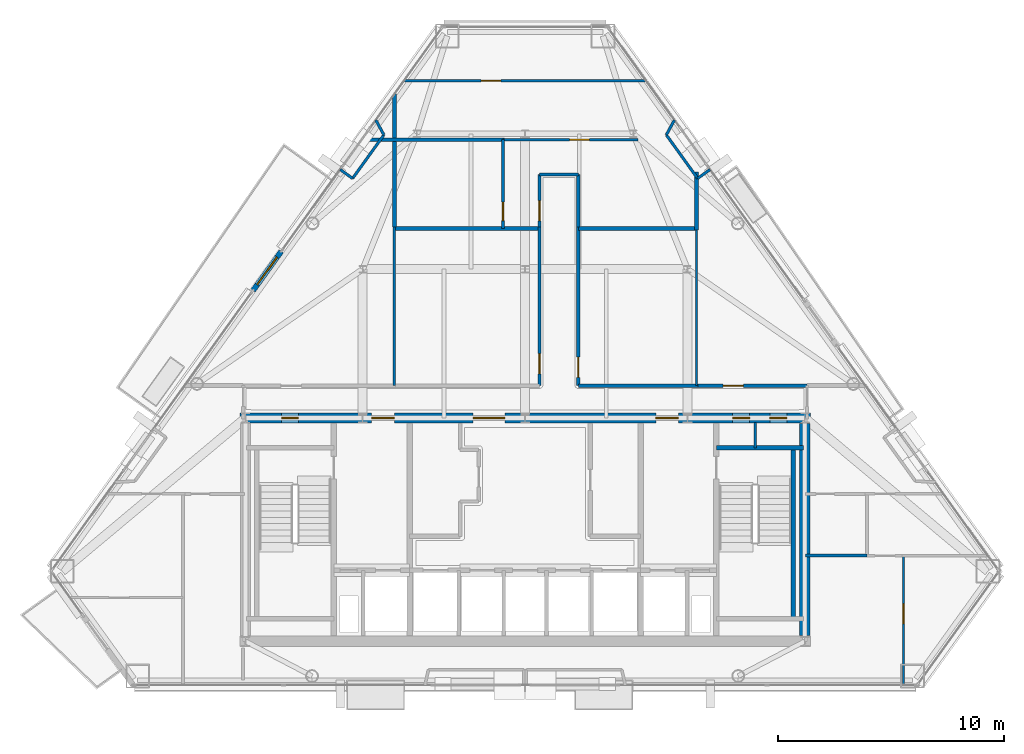
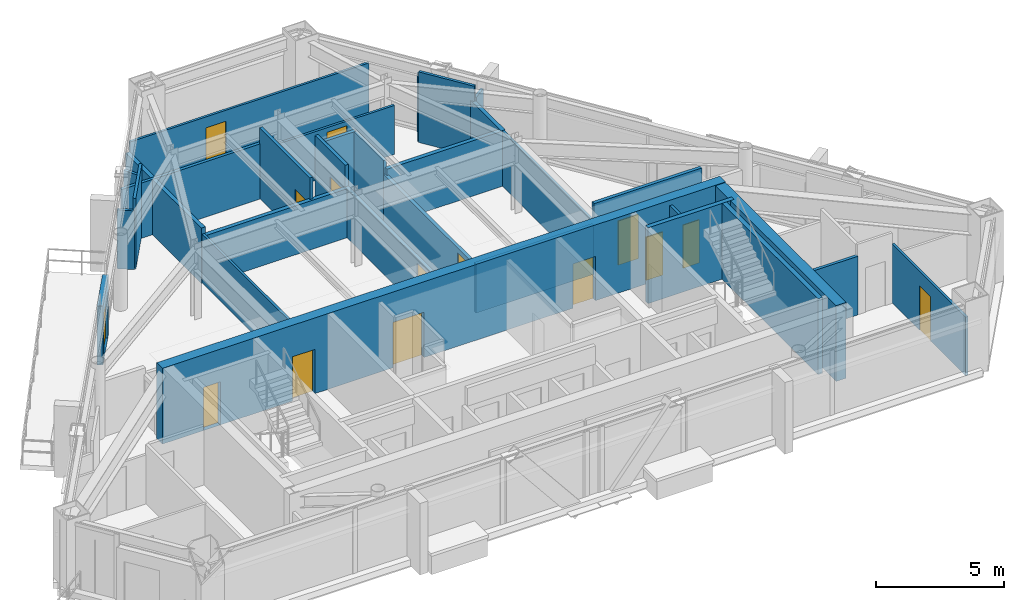
# One storey, part 9 of 12: 31 walls, 15 doors, 15 openings.
"""IFC4 building model written with IfcOpenShell, lengths in metres."""

from ifc_helpers import new_model, si_unit, direction, frame, frame_2d, origin, place, context, subcontext, project, spatial, rectangle, extrude, material, layer, layer_set, type_object, element, fill, save


model = new_model("IFC4")

# Units and contexts
model_context = context("Model", 3, precision=1e-05, world=origin(), true_north=direction((0.0, 1.0)))
body_context = subcontext(model_context, "Body", "Model", "MODEL_VIEW")
ifc_project = project(units=[si_unit("LENGTHUNIT", "METRE"), si_unit("AREAUNIT", "SQUARE_METRE"), si_unit("VOLUMEUNIT", "CUBIC_METRE"), si_unit("PLANEANGLEUNIT", "RADIAN"), si_unit("MASSUNIT", "GRAM", prefix="KILO")], contexts=[model_context])

# Site, building, storey
site_placement = place(None, origin())
site = spatial("IfcSite", under=ifc_project, at=site_placement, CompositionType="ELEMENT")
building_placement = place(site_placement, origin())
building = spatial("IfcBuilding", under=site, at=building_placement, Name="Talgorran Terracotta Tower", CompositionType="ELEMENT")
storey_placement = place(building_placement, frame((0.0, 0.0, 189.300048828125)))
storey = spatial("IfcBuildingStorey", under=building, at=storey_placement, Name="L49", CompositionType="ELEMENT", Elevation=189.300048828125)

# Wall, opening, door
ifc_material_1 = material(Name="Concrete C40/50", Category="concrete")
ifc_layer_1 = layer(ifc_material_1, 0.239990234375, Name="WT_BALCONY_SPAND")
ifc_layer_set_1 = layer_set([ifc_layer_1], Name="Concrete C40/50")
wall_type_1 = type_object("IfcWallType", Name="WT_BALCONY_SPAND", PredefinedType="STANDARD", material=ifc_layer_set_1)
wall_1_placement = place(storey_placement, frame((-10.81298828125, 3.19189453125, -0.01513671875), z_axis=(0.0, 0.0, 1.0), x_axis=(-0.583965085393, -0.811778774693, 0.0)))
wall_1 = element("IfcWall", 1, at=wall_1_placement, inside=storey, type_object=wall_type_1, Name="WL-L49-BALP-BAL-NW", PredefinedType="STANDARD", context=body_context, shape_type="SweptSolid", body=[
    extrude(rectangle(XDim=2.14013671875, YDim=0.239990234375, at=frame_2d((1.070068359375, 0.0))), origin(), (0.0, 0.0, 1.0), 2.80712890625),
])
opening_1_placement = place(wall_1_placement, frame((0.320068359375, 0.0, 0.014892578125)))
opening_1 = element("IfcOpeningElement", 2, at=opening_1_placement, cuts=wall_1, Name="Opening D-BAL-L49-2", PredefinedType="OPENING", context=body_context, shape_type="SweptSolid", body=[
    extrude(rectangle(XDim=1.506, YDim=2.203951171875, at=frame_2d((0.75, 1.10205078125))), frame((0.0, 0.1298828125, 0.0), z_axis=(0.0, -1.0, 0.0), x_axis=(1.0, 0.0, 0.0)), (0.0, 0.0, 1.0), 0.260009765625),
])
ifc_material_2 = material(Name="Thermally Broken Aluminium", Category="aluminium")
door_type_1 = type_object("IfcDoorType", Name="DT_BALC_1500", OperationType="SLIDING_TO_RIGHT", PredefinedType="DOOR", material=ifc_material_2)
door_1_placement = place(opening_1_placement, origin())
door_1 = element("IfcDoor", 3, at=door_1_placement, inside=storey, type_object=door_type_1, Name="DR-L49-BAL-BAL-NW", OperationType="SLIDING_TO_RIGHT", OverallHeight=2.199951171875, OverallWidth=1.5, PredefinedType="DOOR", context=body_context, shape_type="SweptSolid", body=[
    extrude(rectangle(XDim=1.5, YDim=2.199951171875, at=frame_2d((0.75, 1.10009765625))), frame((0.0, 0.02490234375, 0.0), z_axis=(0.0, -1.0, 0.0), x_axis=(1.0, 0.0, 0.0)), (0.0, 0.0, 1.0), 0.050048828125),
])
fill(opening_1, door_1)

# Walls
ifc_material_3 = material(Name="Concrete C50/60", Category="concrete")
ifc_layer_2 = layer(ifc_material_3, 0.199951171875, Name="WT_CORE_200")
ifc_layer_set_2 = layer_set([ifc_layer_2], Name="Concrete C50/60")
wall_type_2 = type_object("IfcWallType", Name="WT_CORE_200", PredefinedType="SOLIDWALL", material=ifc_layer_set_2)
wall_2_placement = place(storey_placement, frame((8.47998046875, -5.52001953125, 0.0), z_axis=(0.0, 0.0, 1.0), x_axis=(1.0, 0.0, 0.0)))
element("IfcWall", 4, at=wall_2_placement, inside=storey, type_object=wall_type_2, Name="WL-L49-CW-ST2-N", PredefinedType="SOLIDWALL", context=body_context, shape_type="SweptSolid", body=[
    extrude(rectangle(XDim=3.8701171875, YDim=0.199951171875, at=frame_2d((1.93505859375, 0.0))), origin(), (0.0, 0.0, 1.0), 3.599853515625),
])
wall_3_placement = place(storey_placement, frame((11.89990234375, -13.10009765625, 0.0), z_axis=(0.0, 0.0, 1.0), x_axis=(0.0, 1.0, 0.0)))
element("IfcWall", 5, at=wall_3_placement, inside=storey, type_object=wall_type_2, Name="WL-L49-CW-ST2-E", PredefinedType="SOLIDWALL", context=body_context, shape_type="SweptSolid", body=[
    extrude(rectangle(XDim=7.580078125, YDim=0.199951171875, at=frame_2d((3.7900390625, 0.0))), origin(), (0.0, 0.0, 1.0), 3.599853515625),
])

# Wall, openings, doors
ifc_material_4 = material(Name="Concrete C65/80", Category="concrete")
ifc_layer_3 = layer(ifc_material_4, 0.449951171875, Name="WT_CORE_EXT")
ifc_layer_set_3 = layer_set([ifc_layer_3], Name="Concrete C65/80")
wall_type_3 = type_object("IfcWallType", Name="WT_CORE_EXT", PredefinedType="SHEAR", material=ifc_layer_set_3)
wall_4_placement = place(storey_placement, frame((-12.64990234375, -4.199951171875, 0.0), z_axis=(0.0, 0.0, 1.0), x_axis=(1.0, 0.0, 0.0)))
wall_4 = element("IfcWall", 6, at=wall_4_placement, inside=storey, type_object=wall_type_3, Name="WL-L49-CW-OUT-N", PredefinedType="SHEAR", context=body_context, shape_type="SweptSolid", body=[
    extrude(rectangle(XDim=25.2998046875, YDim=0.449951171875, at=frame_2d((12.64990234375, 0.0))), origin(), (0.0, 0.0, 1.0), 3.599853515625),
])
opening_2_placement = place(wall_4_placement, frame((1.85009765625, 0.0, 0.0)))
opening_2 = element("IfcOpeningElement", 7, at=opening_2_placement, cuts=wall_4, Name="Opening DR-CSN1", PredefinedType="OPENING", context=body_context, shape_type="SweptSolid", body=[
    extrude(rectangle(XDim=0.756, YDim=2.054048828125, at=frame_2d((0.375, 1.027099609375))), frame((0.0, 0.23486328125, 0.0), z_axis=(0.0, -1.0, 0.0), x_axis=(1.0, 0.0, 0.0)), (0.0, 0.0, 1.0), 0.469970703125),
])
opening_3_placement = place(wall_4_placement, frame((21.85009765625, 0.0, 0.0)))
opening_3 = element("IfcOpeningElement", 8, at=opening_3_placement, cuts=wall_4, Name="Opening DR-CSN2", PredefinedType="OPENING", context=body_context, shape_type="SweptSolid", body=[
    extrude(rectangle(XDim=0.756, YDim=2.054048828125, at=frame_2d((0.375, 1.027099609375))), frame((0.0, 0.23486328125, 0.0), z_axis=(0.0, -1.0, 0.0), x_axis=(1.0, 0.0, 0.0)), (0.0, 0.0, 1.0), 0.469970703125),
])
opening_4_placement = place(wall_4_placement, frame((23.5, 0.0, 0.0)))
opening_4 = element("IfcOpeningElement", 9, at=opening_4_placement, cuts=wall_4, Name="Opening DR-CSN3", PredefinedType="OPENING", context=body_context, shape_type="SweptSolid", body=[
    extrude(rectangle(XDim=0.756, YDim=2.054048828125, at=frame_2d((0.375, 1.027099609375))), frame((0.0, 0.23486328125, 0.0), z_axis=(0.0, -1.0, 0.0), x_axis=(1.0, 0.0, 0.0)), (0.0, 0.0, 1.0), 0.469970703125),
])
opening_5_placement = place(wall_4_placement, frame((5.85009765625, 0.0, 0.0)))
opening_5 = element("IfcOpeningElement", 10, at=opening_5_placement, cuts=wall_4, Name="Opening DR-FFLW-N", PredefinedType="OPENING", context=body_context, shape_type="SweptSolid", body=[
    extrude(rectangle(XDim=1.006, YDim=2.10409765625, at=frame_2d((0.5, 1.052001953125))), frame((0.0, 0.23486328125, 0.0), z_axis=(0.0, -1.0, 0.0), x_axis=(1.0, 0.0, 0.0)), (0.0, 0.0, 1.0), 0.469970703125),
])
opening_6_placement = place(wall_4_placement, frame((10.35009765625, 0.0, 0.0)))
opening_6 = element("IfcOpeningElement", 11, at=opening_6_placement, cuts=wall_4, Name="Opening DR-PLL-N", PredefinedType="OPENING", context=body_context, shape_type="SweptSolid", body=[
    extrude(rectangle(XDim=1.40590234375, YDim=2.15390234375, at=frame_2d((0.699951171875, 1.076904296875))), frame((0.0, 0.23486328125, 0.0), z_axis=(0.0, -1.0, 0.0), x_axis=(1.0, 0.0, 0.0)), (0.0, 0.0, 1.0), 0.469970703125),
])
opening_7_placement = place(wall_4_placement, frame((18.449951171875, 0.0, 0.0)))
opening_7 = element("IfcOpeningElement", 12, at=opening_7_placement, cuts=wall_4, Name="Opening DR-FFLE-N", PredefinedType="OPENING", context=body_context, shape_type="SweptSolid", body=[
    extrude(rectangle(XDim=1.006, YDim=2.10409765625, at=frame_2d((0.5, 1.052001953125))), frame((0.0, 0.23486328125, 0.0), z_axis=(0.0, -1.0, 0.0), x_axis=(1.0, 0.0, 0.0)), (0.0, 0.0, 1.0), 0.469970703125),
])
ifc_material_5 = material(Name="Acoustic Glazed Timber", Category="wood")
door_type_2 = type_object("IfcDoorType", Name="DT_DOUBLE_1400", OperationType="DOUBLE_DOOR_SINGLE_SWING", PredefinedType="DOOR", material=ifc_material_5)
door_2_placement = place(opening_6_placement, origin())
door_2 = element("IfcDoor", 13, at=door_2_placement, inside=storey, type_object=door_type_2, Name="DR-PLL-N", OperationType="DOUBLE_DOOR_SINGLE_SWING", OverallHeight=2.14990234375, OverallWidth=1.39990234375, PredefinedType="DOOR", context=body_context, shape_type="SweptSolid", body=[
    extrude(rectangle(XDim=1.39990234375, YDim=2.14990234375, at=frame_2d((0.699951171875, 1.074951171875))), frame((0.0, 0.02490234375, 0.0), z_axis=(0.0, -1.0, 0.0), x_axis=(1.0, 0.0, 0.0)), (0.0, 0.0, 1.0), 0.050048828125),
])
fill(opening_6, door_2)
ifc_material_6 = material(Name="Fire-Rated Pressed Steel", Category="steel")
door_type_3 = type_object("IfcDoorType", Name="DT_FIRE_1000", OperationType="NOTDEFINED", PredefinedType="DOOR", material=ifc_material_6)
door_3_placement = place(opening_5_placement, origin())
door_3 = element("IfcDoor", 14, at=door_3_placement, inside=storey, type_object=door_type_3, Name="DR-FFLW-N", OperationType="SINGLE_SWING_LEFT", OverallHeight=2.10009765625, OverallWidth=1.0, PredefinedType="DOOR", context=body_context, shape_type="SweptSolid", body=[
    extrude(rectangle(XDim=1.0, YDim=2.10009765625, at=frame_2d((0.5, 1.050048828125))), frame((0.0, 0.02490234375, 0.0), z_axis=(0.0, -1.0, 0.0), x_axis=(1.0, 0.0, 0.0)), (0.0, 0.0, 1.0), 0.050048828125),
])
fill(opening_5, door_3)
door_4_placement = place(opening_7_placement, origin())
door_4 = element("IfcDoor", 15, at=door_4_placement, inside=storey, type_object=door_type_3, Name="DR-FFLE-N", OperationType="SINGLE_SWING_RIGHT", OverallHeight=2.10009765625, OverallWidth=1.0, PredefinedType="DOOR", context=body_context, shape_type="SweptSolid", body=[
    extrude(rectangle(XDim=1.0, YDim=2.10009765625, at=frame_2d((0.5, 1.050048828125))), frame((0.0, 0.02490234375, 0.0), z_axis=(0.0, -1.0, 0.0), x_axis=(1.0, 0.0, 0.0)), (0.0, 0.0, 1.0), 0.050048828125),
])
fill(opening_7, door_4)
door_type_4 = type_object("IfcDoorType", Name="DT_RISER_750", OperationType="NOTDEFINED", PredefinedType="DOOR", material=ifc_material_6)
door_5_placement = place(opening_2_placement, origin())
door_5 = element("IfcDoor", 16, at=door_5_placement, inside=storey, type_object=door_type_4, Name="DR-CSN1", OperationType="SINGLE_SWING_LEFT", OverallHeight=2.050048828125, OverallWidth=0.75, PredefinedType="DOOR", context=body_context, shape_type="SweptSolid", body=[
    extrude(rectangle(XDim=0.75, YDim=2.050048828125, at=frame_2d((0.375, 1.02490234375))), frame((0.0, 0.02490234375, 0.0), z_axis=(0.0, -1.0, 0.0), x_axis=(1.0, 0.0, 0.0)), (0.0, 0.0, 1.0), 0.050048828125),
])
fill(opening_2, door_5)
door_6_placement = place(opening_3_placement, origin())
door_6 = element("IfcDoor", 17, at=door_6_placement, inside=storey, type_object=door_type_4, Name="DR-CSN2", OperationType="SINGLE_SWING_LEFT", OverallHeight=2.050048828125, OverallWidth=0.75, PredefinedType="DOOR", context=body_context, shape_type="SweptSolid", body=[
    extrude(rectangle(XDim=0.75, YDim=2.050048828125, at=frame_2d((0.375, 1.02490234375))), frame((0.0, 0.02490234375, 0.0), z_axis=(0.0, -1.0, 0.0), x_axis=(1.0, 0.0, 0.0)), (0.0, 0.0, 1.0), 0.050048828125),
])
fill(opening_3, door_6)
door_7_placement = place(opening_4_placement, origin())
door_7 = element("IfcDoor", 18, at=door_7_placement, inside=storey, type_object=door_type_4, Name="DR-CSN3", OperationType="SINGLE_SWING_RIGHT", OverallHeight=2.050048828125, OverallWidth=0.75, PredefinedType="DOOR", context=body_context, shape_type="SweptSolid", body=[
    extrude(rectangle(XDim=0.75, YDim=2.050048828125, at=frame_2d((0.375, 1.02490234375))), frame((0.0, 0.02490234375, 0.0), z_axis=(0.0, -1.0, 0.0), x_axis=(1.0, 0.0, 0.0)), (0.0, 0.0, 1.0), 0.050048828125),
])
fill(opening_4, door_7)

# Wall
wall_5_placement = place(storey_placement, frame((12.39990234375, -13.85009765625, 0.0), z_axis=(0.0, 0.0, 1.0), x_axis=(0.0, 1.0, 0.0)))
element("IfcWall", 19, at=wall_5_placement, inside=storey, type_object=wall_type_3, Name="WL-L49-CW-OUT-E", PredefinedType="SHEAR", context=body_context, shape_type="SweptSolid", body=[
    extrude(rectangle(XDim=9.400146484375, YDim=0.449951171875, at=frame_2d((4.7001953125, 0.0))), origin(), (0.0, 0.0, 1.0), 3.599853515625),
])

# Wall, opening, door
ifc_material_7 = material(Name="Fire-Rated Steel Stud Plasterboard", Category="steel")
ifc_layer_4 = layer(ifc_material_7, 0.14990234375, Name="WT_FIRE_150")
ifc_layer_set_4 = layer_set([ifc_layer_4], Name="Fire-Rated Steel Stud Plasterboard")
wall_type_4 = type_object("IfcWallType", Name="WT_FIRE_150", PredefinedType="PARTITIONING", material=ifc_layer_set_4)
wall_6_placement = place(storey_placement, frame((0.639892578125, -2.760009765625, 0.0), z_axis=(0.0, 0.0, 1.0), x_axis=(0.0, 1.0, 0.0)))
wall_6 = element("IfcWall", 20, at=wall_6_placement, inside=storey, type_object=wall_type_4, Name="WL-L49-W-L49-R05", PredefinedType="PARTITIONING", context=body_context, shape_type="SweptSolid", body=[
    extrude(rectangle(XDim=7.02001953125, YDim=0.14990234375, at=frame_2d((3.510009765625, 0.0))), origin(), (0.0, 0.0, 1.0), 2.324951171875),
])
opening_8_placement = place(wall_6_placement, frame((0.52001953125, 0.0, 0.0)))
opening_8 = element("IfcOpeningElement", 21, at=opening_8_placement, cuts=wall_6, Name="Opening DR-L49-R10", PredefinedType="OPENING", context=body_context, shape_type="SweptSolid", body=[
    extrude(rectangle(XDim=0.90590234375, YDim=2.10409765625, at=frame_2d((0.449951171875, 1.052001953125))), frame((0.0, 0.0849609375, 0.0), z_axis=(0.0, -1.0, 0.0), x_axis=(1.0, 0.0, 0.0)), (0.0, 0.0, 1.0), 0.169921875),
])
ifc_material_8 = material(Name="Fire-Rated Timber Core", Category="wood")
door_type_5 = type_object("IfcDoorType", Name="DT_FIRE_900", OperationType="NOTDEFINED", PredefinedType="DOOR", material=ifc_material_8)
door_8_placement = place(opening_8_placement, origin())
door_8 = element("IfcDoor", 22, at=door_8_placement, inside=storey, type_object=door_type_5, Name="DR-L49-R10", OperationType="SINGLE_SWING_RIGHT", OverallHeight=2.10009765625, OverallWidth=0.89990234375, PredefinedType="DOOR", context=body_context, shape_type="SweptSolid", body=[
    extrude(rectangle(XDim=0.89990234375, YDim=2.10009765625, at=frame_2d((0.449951171875, 1.050048828125))), frame((0.0, 0.02490234375, 0.0), z_axis=(0.0, -1.0, 0.0), x_axis=(1.0, 0.0, 0.0)), (0.0, 0.0, 1.0), 0.050048828125),
])
fill(opening_8, door_8)

wall_7_placement = place(storey_placement, frame((2.360107421875, -2.760009765625, 0.0), z_axis=(0.0, 0.0, 1.0), x_axis=(0.0, 1.0, 0.0)))
wall_7 = element("IfcWall", 23, at=wall_7_placement, inside=storey, type_object=wall_type_4, Name="WL-L49-W-L49-R06", PredefinedType="PARTITIONING", context=body_context, shape_type="SweptSolid", body=[
    extrude(rectangle(XDim=7.02001953125, YDim=0.14990234375, at=frame_2d((3.510009765625, 0.0))), origin(), (0.0, 0.0, 1.0), 2.324951171875),
])
opening_9_placement = place(wall_7_placement, frame((0.360107421875, 0.0, 0.0)))
opening_9 = element("IfcOpeningElement", 24, at=opening_9_placement, cuts=wall_7, Name="Opening DR-L49-R11", PredefinedType="OPENING", context=body_context, shape_type="SweptSolid", body=[
    extrude(rectangle(XDim=0.90590234375, YDim=2.10409765625, at=frame_2d((0.449951171875, 1.052001953125))), frame((0.0, 0.0849609375, 0.0), z_axis=(0.0, -1.0, 0.0), x_axis=(1.0, 0.0, 0.0)), (0.0, 0.0, 1.0), 0.169921875),
])
door_9_placement = place(opening_9_placement, origin())
door_9 = element("IfcDoor", 25, at=door_9_placement, inside=storey, type_object=door_type_5, Name="DR-L49-R11", OperationType="SINGLE_SWING_LEFT", OverallHeight=2.10009765625, OverallWidth=0.89990234375, PredefinedType="DOOR", context=body_context, shape_type="SweptSolid", body=[
    extrude(rectangle(XDim=0.89990234375, YDim=2.10009765625, at=frame_2d((0.449951171875, 1.050048828125))), frame((0.0, 0.02490234375, 0.0), z_axis=(0.0, -1.0, 0.0), x_axis=(1.0, 0.0, 0.0)), (0.0, 0.0, 1.0), 0.050048828125),
])
fill(opening_9, door_9)

# Wall
wall_8_placement = place(storey_placement, frame((2.360107421875, -2.760009765625, 0.0), z_axis=(0.0, 0.0, 1.0), x_axis=(1.0, 0.0, 0.0)))
element("IfcWall", 26, at=wall_8_placement, inside=storey, type_object=wall_type_4, Name="WL-L49-W-L49-R07", PredefinedType="PARTITIONING", context=body_context, shape_type="SweptSolid", body=[
    extrude(rectangle(XDim=5.2998046875, YDim=0.14990234375, at=frame_2d((2.64990234375, 0.0))), origin(), (0.0, 0.0, 1.0), 2.324951171875),
])

# Wall, opening, door
wall_9_placement = place(storey_placement, frame((7.662109375, -2.760009765625, 0.0), z_axis=(0.0, 0.0, 1.0), x_axis=(1.0, 0.0, 0.0)))
wall_9 = element("IfcWall", 27, at=wall_9_placement, inside=storey, type_object=wall_type_4, Name="WL-L49-W-L49-R08", PredefinedType="PARTITIONING", context=body_context, shape_type="SweptSolid", body=[
    extrude(rectangle(XDim=4.837890625, YDim=0.14990234375, at=frame_2d((2.4189453125, 0.0))), origin(), (0.0, 0.0, 1.0), 3.349853515625),
])
opening_10_placement = place(wall_9_placement, frame((1.1123046875, 0.0, 0.0)))
opening_10 = element("IfcOpeningElement", 28, at=opening_10_placement, cuts=wall_9, Name="Opening DR-L49-R12", PredefinedType="OPENING", context=body_context, shape_type="SweptSolid", body=[
    extrude(rectangle(XDim=0.90590234375, YDim=2.10409765625, at=frame_2d((0.449951171875, 1.052001953125))), frame((0.0, 0.0849609375, 0.0), z_axis=(0.0, -1.0, 0.0), x_axis=(1.0, 0.0, 0.0)), (0.0, 0.0, 1.0), 0.169921875),
])
door_10_placement = place(opening_10_placement, origin())
door_10 = element("IfcDoor", 29, at=door_10_placement, inside=storey, type_object=door_type_5, Name="DR-L49-R12", OperationType="SINGLE_SWING_RIGHT", OverallHeight=2.10009765625, OverallWidth=0.89990234375, PredefinedType="DOOR", context=body_context, shape_type="SweptSolid", body=[
    extrude(rectangle(XDim=0.89990234375, YDim=2.10009765625, at=frame_2d((0.449951171875, 1.050048828125))), frame((0.0, 0.02490234375, 0.0), z_axis=(0.0, -1.0, 0.0), x_axis=(1.0, 0.0, 0.0)), (0.0, 0.0, 1.0), 0.050048828125),
])
fill(opening_10, door_10)

wall_10_placement = place(storey_placement, frame((0.639892578125, 4.261962890625, 0.0), z_axis=(0.0, 0.0, 1.0), x_axis=(0.0, 1.0, 0.0)))
wall_10 = element("IfcWall", 30, at=wall_10_placement, inside=storey, type_object=wall_type_4, Name="WL-L49-W-L49-R09", PredefinedType="PARTITIONING", context=body_context, shape_type="SweptSolid", body=[
    extrude(rectangle(XDim=2.338134765625, YDim=0.14990234375, at=frame_2d((1.1689453125, 0.0))), origin(), (0.0, 0.0, 1.0), 3.349853515625),
])
opening_11_placement = place(wall_10_placement, frame((0.278076171875, 0.0, 0.0)))
opening_11 = element("IfcOpeningElement", 31, at=opening_11_placement, cuts=wall_10, Name="Opening DR-L49-R13", PredefinedType="OPENING", context=body_context, shape_type="SweptSolid", body=[
    extrude(rectangle(XDim=0.90590234375, YDim=2.10409765625, at=frame_2d((0.449951171875, 1.052001953125))), frame((0.0, 0.0849609375, 0.0), z_axis=(0.0, -1.0, 0.0), x_axis=(1.0, 0.0, 0.0)), (0.0, 0.0, 1.0), 0.169921875),
])
door_11_placement = place(opening_11_placement, origin())
door_11 = element("IfcDoor", 32, at=door_11_placement, inside=storey, type_object=door_type_5, Name="DR-L49-R13", OperationType="SINGLE_SWING_LEFT", OverallHeight=2.10009765625, OverallWidth=0.89990234375, PredefinedType="DOOR", context=body_context, shape_type="SweptSolid", body=[
    extrude(rectangle(XDim=0.89990234375, YDim=2.10009765625, at=frame_2d((0.449951171875, 1.050048828125))), frame((0.0, 0.02490234375, 0.0), z_axis=(0.0, -1.0, 0.0), x_axis=(1.0, 0.0, 0.0)), (0.0, 0.0, 1.0), 0.050048828125),
])
fill(opening_11, door_11)

# Walls
wall_11_placement = place(storey_placement, frame((2.360107421875, 4.261962890625, 0.0), z_axis=(0.0, 0.0, 1.0), x_axis=(0.0, 1.0, 0.0)))
element("IfcWall", 33, at=wall_11_placement, inside=storey, type_object=wall_type_4, Name="WL-L49-W-L49-R11", PredefinedType="PARTITIONING", context=body_context, shape_type="SweptSolid", body=[
    extrude(rectangle(XDim=2.338134765625, YDim=0.14990234375, at=frame_2d((1.1689453125, 0.0))), origin(), (0.0, 0.0, 1.0), 2.96923828125),
])
wall_12_placement = place(storey_placement, frame((0.639892578125, 6.60009765625, 0.0), z_axis=(0.0, 0.0, 1.0), x_axis=(1.0, 0.0, 0.0)))
element("IfcWall", 34, at=wall_12_placement, inside=storey, type_object=wall_type_4, Name="WL-L49-W-L49-R10", PredefinedType="PARTITIONING", context=body_context, shape_type="SweptSolid", body=[
    extrude(rectangle(XDim=1.72021484375, YDim=0.14990234375, at=frame_2d((0.860107421875, 0.0))), origin(), (0.0, 0.0, 1.0), 2.96923828125),
])
ifc_material_9 = material(Name="Acoustic Stud and Plasterboard")
ifc_layer_5 = layer(ifc_material_9, 0.179931640625, Name="WT_PARTY_200")
ifc_layer_set_5 = layer_set([ifc_layer_5], Name="Acoustic Stud and Plasterboard")
wall_type_5 = type_object("IfcWallType", Name="WT_PARTY_200", PredefinedType="PARTITIONING", material=ifc_layer_set_5)
wall_13_placement = place(storey_placement, frame((-5.800048828125, 4.261962890625, 0.0), z_axis=(0.0, 0.0, 1.0), x_axis=(0.0, 1.0, 0.0)))
element("IfcWall", 35, at=wall_13_placement, inside=storey, type_object=wall_type_5, Name="WL-L49-W-L49-R27", PredefinedType="PARTITIONING", context=body_context, shape_type="SweptSolid", body=[
    extrude(rectangle(XDim=5.898193359375, YDim=0.179931640625, at=frame_2d((2.94921875, 0.0))), origin(), (0.0, 0.0, 1.0), 2.625),
])
wall_14_placement = place(storey_placement, frame((2.360107421875, 4.199951171875, 0.0), z_axis=(0.0, 0.0, 1.0), x_axis=(1.0, 0.0, 0.0)))
element("IfcWall", 36, at=wall_14_placement, inside=storey, type_object=wall_type_5, Name="WL-L49-W-L49-R31", PredefinedType="PARTITIONING", context=body_context, shape_type="SweptSolid", body=[
    extrude(rectangle(XDim=5.239990234375, YDim=0.179931640625, at=frame_2d((2.6201171875, 0.0))), origin(), (0.0, 0.0, 1.0), 2.625),
])
wall_15_placement = place(storey_placement, frame((-5.800048828125, 4.199951171875, 0.0), z_axis=(0.0, 0.0, 1.0), x_axis=(1.0, 0.0, 0.0)))
element("IfcWall", 37, at=wall_15_placement, inside=storey, type_object=wall_type_5, Name="WL-L49-W-L49-R29", PredefinedType="PARTITIONING", context=body_context, shape_type="SweptSolid", body=[
    extrude(rectangle(XDim=6.43994140625, YDim=0.179931640625, at=frame_2d((3.219970703125, 0.0))), origin(), (0.0, 0.0, 1.0), 2.324951171875),
])
wall_16_placement = place(storey_placement, frame((7.60009765625, 4.139892578125, 0.0), z_axis=(0.0, 0.0, 1.0), x_axis=(0.0, 1.0, 0.0)))
element("IfcWall", 38, at=wall_16_placement, inside=storey, type_object=wall_type_5, Name="WL-L49-W-L49-R32", PredefinedType="PARTITIONING", context=body_context, shape_type="SweptSolid", body=[
    extrude(rectangle(XDim=2.580078125, YDim=0.179931640625, at=frame_2d((1.2900390625, 0.0))), origin(), (0.0, 0.0, 1.0), 2.625),
])

# Wall, opening, door
ifc_material_10 = material(Name="Lightweight Steel Stud Partition", Category="steel")
ifc_layer_6 = layer(ifc_material_10, 0.10498046875, Name="WT_PART_110")
ifc_layer_set_6 = layer_set([ifc_layer_6], Name="Lightweight Steel Stud Partition")
wall_type_6 = type_object("IfcWallType", Name="WT_PART_110", PredefinedType="PARTITIONING", material=ifc_layer_set_6)
wall_17_placement = place(storey_placement, frame((-5.368408203125, 10.760009765625, 0.0), z_axis=(0.0, 0.0, 1.0), x_axis=(1.0, 0.0, 0.0)))
wall_17 = element("IfcWall", 39, at=wall_17_placement, inside=storey, type_object=wall_type_6, Name="WL-L49-W-L49-R35", PredefinedType="PARTITIONING", context=body_context, shape_type="SweptSolid", body=[
    extrude(rectangle(XDim=10.73681640625, YDim=0.10498046875, at=frame_2d((5.368408203125, 0.0))), origin(), (0.0, 0.0, 1.0), 2.625),
])
opening_12_placement = place(wall_17_placement, frame((3.415771484375, 0.0, 0.0)))
opening_12 = element("IfcOpeningElement", 40, at=opening_12_placement, cuts=wall_17, Name="Opening DR-L49-R15", PredefinedType="OPENING", context=body_context, shape_type="SweptSolid", body=[
    extrude(rectangle(XDim=0.8858828125, YDim=2.10409765625, at=frame_2d((0.43994140625, 1.052001953125))), frame((0.0, 0.0625, 0.0), z_axis=(0.0, -1.0, 0.0), x_axis=(1.0, 0.0, 0.0)), (0.0, 0.0, 1.0), 0.125),
])
ifc_material_11 = material(Name="Solid-Core Painted Timber", Category="wood")
door_type_6 = type_object("IfcDoorType", Name="DT_INT_880", OperationType="NOTDEFINED", PredefinedType="DOOR", material=ifc_material_11)
door_12_placement = place(opening_12_placement, origin())
door_12 = element("IfcDoor", 41, at=door_12_placement, inside=storey, type_object=door_type_6, Name="DR-L49-R15", OperationType="SINGLE_SWING_LEFT", OverallHeight=2.10009765625, OverallWidth=0.8798828125, PredefinedType="DOOR", context=body_context, shape_type="SweptSolid", body=[
    extrude(rectangle(XDim=0.8798828125, YDim=2.10009765625, at=frame_2d((0.43994140625, 1.050048828125))), frame((0.0, 0.02490234375, 0.0), z_axis=(0.0, -1.0, 0.0), x_axis=(1.0, 0.0, 0.0)), (0.0, 0.0, 1.0), 0.050048828125),
])
fill(opening_12, door_12)

# Walls
wall_18_placement = place(storey_placement, frame((-5.800048828125, -2.760009765625, 0.0), z_axis=(0.0, 0.0, 1.0), x_axis=(0.0, 1.0, 0.0)))
element("IfcWall", 42, at=wall_18_placement, inside=storey, type_object=wall_type_6, Name="WL-L49-W-L49-R26", PredefinedType="PARTITIONING", context=body_context, shape_type="SweptSolid", body=[
    extrude(rectangle(XDim=7.02001953125, YDim=0.10498046875, at=frame_2d((3.510009765625, 0.0))), origin(), (0.0, 0.0, 1.0), 2.324951171875),
])
wall_19_placement = place(storey_placement, frame((7.60009765625, -2.760009765625, 0.0), z_axis=(0.0, 0.0, 1.0), x_axis=(0.0, 1.0, 0.0)))
element("IfcWall", 43, at=wall_19_placement, inside=storey, type_object=wall_type_6, Name="WL-L49-W-L49-R30", PredefinedType="PARTITIONING", context=body_context, shape_type="SweptSolid", body=[
    extrude(rectangle(XDim=6.9599609375, YDim=0.10498046875, at=frame_2d((3.47998046875, 0.0))), origin(), (0.0, 0.0, 1.0), 2.625),
])

# Wall, opening, door
wall_20_placement = place(storey_placement, frame((-0.97998046875, 8.139892578125, 0.0), z_axis=(0.0, 0.0, 1.0), x_axis=(1.0, 0.0, 0.0)))
wall_20 = element("IfcWall", 44, at=wall_20_placement, inside=storey, type_object=wall_type_6, Name="WL-L49-W-L49-R33", PredefinedType="PARTITIONING", context=body_context, shape_type="SweptSolid", body=[
    extrude(rectangle(XDim=5.97998046875, YDim=0.10498046875, at=frame_2d((2.989990234375, 0.0))), origin(), (0.0, 0.0, 1.0), 2.324951171875),
])
opening_13_placement = place(wall_20_placement, frame((2.948486328125, 0.0, 0.0)))
opening_13 = element("IfcOpeningElement", 45, at=opening_13_placement, cuts=wall_20, Name="Opening DR-L49-R14", PredefinedType="OPENING", context=body_context, shape_type="SweptSolid", body=[
    extrude(rectangle(XDim=0.8858828125, YDim=2.10409765625, at=frame_2d((0.43994140625, 1.052001953125))), frame((0.0, 0.0625, 0.0), z_axis=(0.0, -1.0, 0.0), x_axis=(1.0, 0.0, 0.0)), (0.0, 0.0, 1.0), 0.125),
])
door_13_placement = place(opening_13_placement, origin())
door_13 = element("IfcDoor", 46, at=door_13_placement, inside=storey, type_object=door_type_6, Name="DR-L49-R14", OperationType="SINGLE_SWING_RIGHT", OverallHeight=2.10009765625, OverallWidth=0.8798828125, PredefinedType="DOOR", context=body_context, shape_type="SweptSolid", body=[
    extrude(rectangle(XDim=0.8798828125, YDim=2.10009765625, at=frame_2d((0.43994140625, 1.050048828125))), frame((0.0, 0.02490234375, 0.0), z_axis=(0.0, -1.0, 0.0), x_axis=(1.0, 0.0, 0.0)), (0.0, 0.0, 1.0), 0.050048828125),
])
fill(opening_13, door_13)

wall_21_placement = place(storey_placement, frame((16.780029296875, -16.041015625, 0.0), z_axis=(0.0, 0.0, 1.0), x_axis=(0.0, 1.0, 0.0)))
wall_21 = element("IfcWall", 47, at=wall_21_placement, inside=storey, type_object=wall_type_6, Name="WL-L49-W-L49-R25", PredefinedType="PARTITIONING", context=body_context, shape_type="SweptSolid", body=[
    extrude(rectangle(XDim=5.740966796875, YDim=0.10498046875, at=frame_2d((2.87060546875, 0.0))), origin(), (0.0, 0.0, 1.0), 2.7919921875),
])
opening_14_placement = place(wall_21_placement, frame((2.718017578125, 0.0, 0.0)))
opening_14 = element("IfcOpeningElement", 48, at=opening_14_placement, cuts=wall_21, Name="Opening DR-L49-R08", PredefinedType="OPENING", context=body_context, shape_type="SweptSolid", body=[
    extrude(rectangle(XDim=0.8858828125, YDim=2.10409765625, at=frame_2d((0.43994140625, 1.052001953125))), frame((0.0, 0.0625, 0.0), z_axis=(0.0, -1.0, 0.0), x_axis=(1.0, 0.0, 0.0)), (0.0, 0.0, 1.0), 0.125),
])
door_14_placement = place(opening_14_placement, origin())
door_14 = element("IfcDoor", 49, at=door_14_placement, inside=storey, type_object=door_type_6, Name="DR-L49-R08", OperationType="SINGLE_SWING_RIGHT", OverallHeight=2.10009765625, OverallWidth=0.8798828125, PredefinedType="DOOR", context=body_context, shape_type="SweptSolid", body=[
    extrude(rectangle(XDim=0.8798828125, YDim=2.10009765625, at=frame_2d((0.43994140625, 1.050048828125))), frame((0.0, 0.02490234375, 0.0), z_axis=(0.0, -1.0, 0.0), x_axis=(1.0, 0.0, 0.0)), (0.0, 0.0, 1.0), 0.050048828125),
])
fill(opening_14, door_14)

# Walls
ifc_material_12 = material(Name="Insulated Steel Stud Plasterboard", Category="steel")
ifc_layer_7 = layer(ifc_material_12, 0.1201171875, Name="WT_PART_120")
ifc_layer_set_7 = layer_set([ifc_layer_7], Name="Insulated Steel Stud Plasterboard")
wall_type_7 = type_object("IfcWallType", Name="WT_PART_120", PredefinedType="PARTITIONING", material=ifc_layer_set_7)
wall_22_placement = place(storey_placement, frame((10.199951171875, -5.52001953125, 0.0), z_axis=(0.0, 0.0, 1.0), x_axis=(0.0, 1.0, 0.0)))
element("IfcWall", 50, at=wall_22_placement, inside=storey, type_object=wall_type_7, Name="WL-L49-CW-CSE-DIV", PredefinedType="PARTITIONING", context=body_context, shape_type="SweptSolid", body=[
    extrude(rectangle(XDim=1.1201171875, YDim=0.1201171875, at=frame_2d((0.56005859375, 0.0))), origin(), (0.0, 0.0, 1.0), 3.349853515625),
])
for number, where, z_axis, x_axis, name in (
    (51, (-6.261474609375, 8.35400390625, 0.0), (0.0, 0.0, 1.0), (-0.583963896956, -0.811779629611, 0.0), "WL-L49-BW-L49-14"),
    (52, (7.650146484375, 6.423583984375, 0.0), (0.0, 0.0, 1.0), (-0.583963896956, 0.811779629611, 0.0), "WL-L49-BW-L49-17"),
):
    element("IfcWall", number, at=place(storey_placement, frame(where, z_axis=z_axis, x_axis=x_axis)), inside=storey, type_object=wall_type_7, Name=name, PredefinedType="PARTITIONING", context=body_context, shape_type="SweptSolid", body=[
        extrude(rectangle(XDim=2.3779296875, YDim=0.1201171875, at=frame_2d((1.18896484375, 0.0))), origin(), (0.0, 0.0, 1.0), 3.349853515625),
    ])
for number, where, z_axis, x_axis, name in (
    (53, (-6.616943359375, 9.00732421875, 0.0), (0.0, 0.0, 1.0), (0.4779319316, -0.878396874287, 0.0), "WL-L49-BW-L49-13"),
    (54, (6.261474609375, 8.35400390625, 0.0), (0.0, 0.0, 1.0), (0.4779319316, 0.878396874287, 0.0), "WL-L49-BW-L49-18"),
):
    element("IfcWall", number, at=place(storey_placement, frame(where, z_axis=z_axis, x_axis=x_axis)), inside=storey, type_object=wall_type_7, Name=name, PredefinedType="PARTITIONING", context=body_context, shape_type="SweptSolid", body=[
        extrude(rectangle(XDim=0.74365234375, YDim=0.1201171875, at=frame_2d((0.371826171875, 0.0))), origin(), (0.0, 0.0, 1.0), 2.7919921875),
    ])
for number, where, z_axis, x_axis, name in (
    (55, (-7.650146484375, 6.423583984375, 0.0), (0.0, 0.0, 1.0), (-0.811734696256, 0.584026354622, 0.0), "WL-L49-BW-L49-15"),
    (56, (8.194091796875, 6.81494140625, 0.0), (0.0, 0.0, 1.0), (-0.811734696256, -0.584026354622, 0.0), "WL-L49-BW-L49-16"),
):
    element("IfcWall", number, at=place(storey_placement, frame(where, z_axis=z_axis, x_axis=x_axis)), inside=storey, type_object=wall_type_7, Name=name, PredefinedType="PARTITIONING", context=body_context, shape_type="SweptSolid", body=[
        extrude(rectangle(XDim=0.670166015625, YDim=0.1201171875, at=frame_2d((0.3349609375, 0.0))), origin(), (0.0, 0.0, 1.0), 2.7919921875),
    ])
ifc_material_13 = material(Name="Moisture-Resistant Stud Wall")
ifc_layer_8 = layer(ifc_material_13, 0.135009765625, Name="WT_PART_135")
ifc_layer_set_8 = layer_set([ifc_layer_8], Name="Moisture-Resistant Stud Wall")
wall_type_8 = type_object("IfcWallType", Name="WT_PART_135", PredefinedType="PARTITIONING", material=ifc_layer_set_8)
wall_23_placement = place(storey_placement, frame((-7.253173828125, 8.139892578125, 0.0), z_axis=(0.0, 0.0, 1.0), x_axis=(1.0, 0.0, 0.0)))
element("IfcWall", 57, at=wall_23_placement, inside=storey, type_object=wall_type_8, Name="WL-L49-W-L49-R36", PredefinedType="PARTITIONING", context=body_context, shape_type="SweptSolid", body=[
    extrude(rectangle(XDim=6.333251953125, YDim=0.135009765625, at=frame_2d((3.16650390625, 0.0))), origin(), (0.0, 0.0, 1.0), 2.625),
])

# Wall, opening, door
wall_24_placement = place(storey_placement, frame((-0.97998046875, 4.199951171875, 0.0), z_axis=(0.0, 0.0, 1.0), x_axis=(0.0, 1.0, 0.0)))
wall_24 = element("IfcWall", 58, at=wall_24_placement, inside=storey, type_object=wall_type_8, Name="WL-L49-W-L49-R34", PredefinedType="PARTITIONING", context=body_context, shape_type="SweptSolid", body=[
    extrude(rectangle(XDim=3.93994140625, YDim=0.135009765625, at=frame_2d((1.969970703125, 0.0))), origin(), (0.0, 0.0, 1.0), 3.349853515625),
])
opening_15_placement = place(wall_24_placement, frame((0.356689453125, 0.0, 0.0)))
opening_15 = element("IfcOpeningElement", 59, at=opening_15_placement, cuts=wall_24, Name="Opening DR-L49-R16", PredefinedType="OPENING", context=body_context, shape_type="SweptSolid", body=[
    extrude(rectangle(XDim=0.826068359375, YDim=2.10409765625, at=frame_2d((0.41015625, 1.052001953125))), frame((0.0, 0.07763671875, 0.0), z_axis=(0.0, -1.0, 0.0), x_axis=(1.0, 0.0, 0.0)), (0.0, 0.0, 1.0), 0.155029296875),
])
ifc_material_14 = material(Name="Moisture-Resistant Solid Timber", Category="wood")
door_type_7 = type_object("IfcDoorType", Name="DT_INT_820", OperationType="NOTDEFINED", PredefinedType="DOOR", material=ifc_material_14)
door_15_placement = place(opening_15_placement, origin())
door_15 = element("IfcDoor", 60, at=door_15_placement, inside=storey, type_object=door_type_7, Name="DR-L49-R16", OperationType="SINGLE_SWING_RIGHT", OverallHeight=2.10009765625, OverallWidth=0.820068359375, PredefinedType="DOOR", context=body_context, shape_type="SweptSolid", body=[
    extrude(rectangle(XDim=0.820068359375, YDim=2.10009765625, at=frame_2d((0.41015625, 1.050048828125))), frame((0.0, 0.02490234375, 0.0), z_axis=(0.0, -1.0, 0.0), x_axis=(1.0, 0.0, 0.0)), (0.0, 0.0, 1.0), 0.050048828125),
])
fill(opening_15, door_15)

# Wall
wall_25_placement = place(storey_placement, frame((12.43994140625, -10.300048828125, 0.0), z_axis=(0.0, 0.0, 1.0), x_axis=(1.0, 0.0, 0.0)))
element("IfcWall", 61, at=wall_25_placement, inside=storey, type_object=wall_type_8, Name="WL-L49-W-L49-R22", PredefinedType="PARTITIONING", context=body_context, shape_type="SweptSolid", body=[
    extrude(rectangle(XDim=2.719970703125, YDim=0.135009765625, at=frame_2d((1.35986328125, 0.0))), origin(), (0.0, 0.0, 1.0), 2.7919921875),
])

save(model, "model.ifc")
